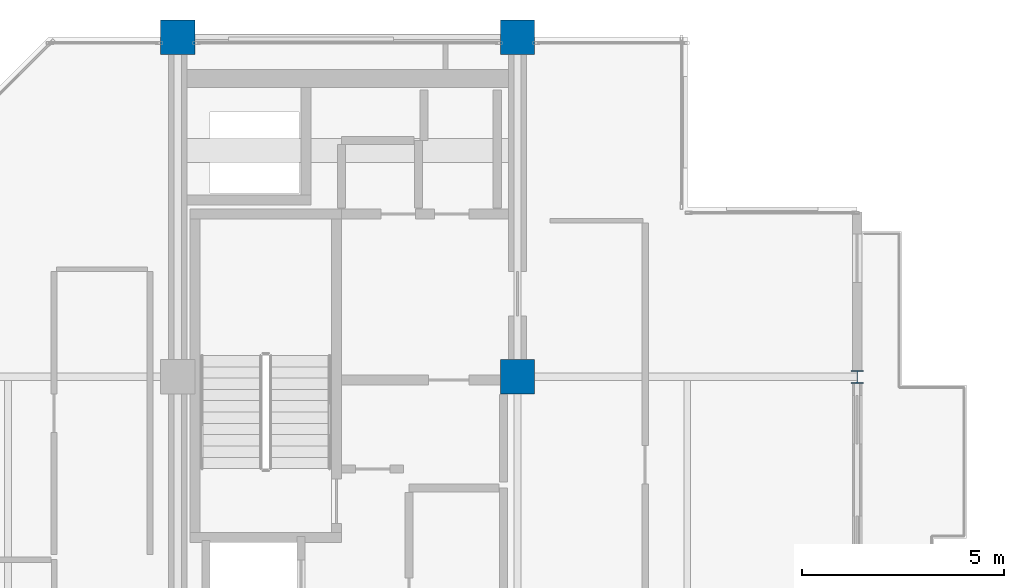
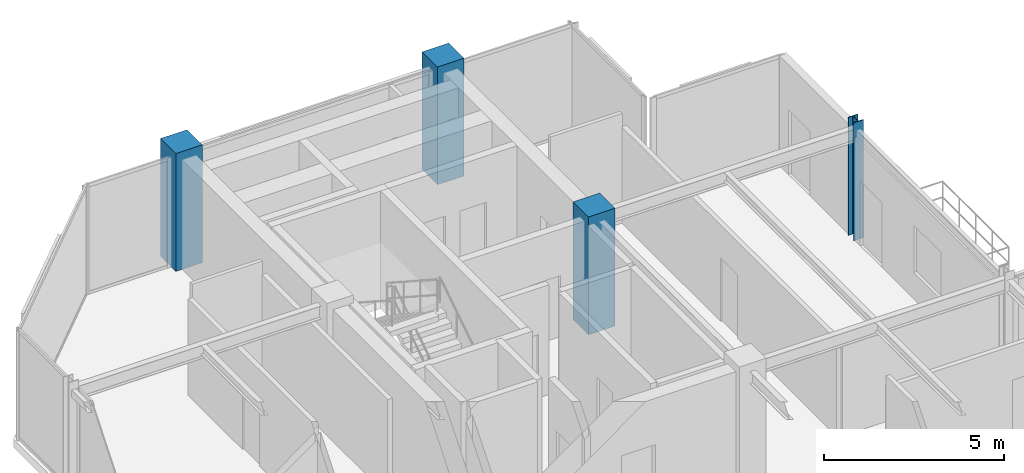
# One storey, part 2 of 24: 4 columns.
"""IFC4 building model written with IfcOpenShell, lengths in metres."""

from ifc_helpers import new_model, si_unit, direction, frame, origin, origin_2d, place, context, subcontext, project, spatial, rectangle, i_section, extrude, material, material_profile, profile_set, type_object, element, save


model = new_model("IFC4")

# Units and contexts
model_context = context("Model", 3, precision=1e-05, world=origin(), true_north=direction((0.0, 1.0)))
body_context = subcontext(model_context, "Body", "Model", "MODEL_VIEW")
ifc_project = project(units=[si_unit("LENGTHUNIT", "METRE"), si_unit("AREAUNIT", "SQUARE_METRE"), si_unit("VOLUMEUNIT", "CUBIC_METRE"), si_unit("PLANEANGLEUNIT", "RADIAN"), si_unit("MASSUNIT", "GRAM", prefix="KILO")], contexts=[model_context])

# Site, building, storey
site_placement = place(None, origin())
site = spatial("IfcSite", under=ifc_project, at=site_placement, CompositionType="ELEMENT")
building_placement = place(site_placement, origin())
building = spatial("IfcBuilding", under=site, at=building_placement, Name="Nerrivon Quay Data Exchange", CompositionType="ELEMENT")
storey_placement = place(building_placement, frame((0.0, 0.0, 306.199951171875)))
storey = spatial("IfcBuildingStorey", under=building, at=storey_placement, Name="L73", CompositionType="ELEMENT", Elevation=306.199951171875)

# Columns
ifc_material_1 = material(Name="Concrete N50 (50 MPa)", Category="concrete")
ifc_material_profile_1 = material_profile(ifc_material_1, rectangle(XDim=0.85009765625, YDim=0.85009765625, at=origin_2d()), Name="RC-COL-850x850")
ifc_profile_set_1 = profile_set([ifc_material_profile_1], Name="Concrete N50 (50 MPa)")
column_type_1 = type_object("IfcColumnType", Name="COL-C5-850", PredefinedType="COLUMN", material=ifc_profile_set_1)
for number, where, z_axis, x_axis, name in (
    (1, (8.39990234375, 42.0, 0.0), (0.0, 0.0, 1.0), (1.0, 0.0, 0.0), "L73 Column (8.4,42.0)"),
    (2, (16.800048828125, 33.60009765625, 0.0), (0.0, 0.0, 1.0), (1.0, 0.0, 0.0), "L73 Column (16.8,33.6)"),
    (3, (16.800048828125, 42.0, 0.0), (0.0, 0.0, 1.0), (1.0, 0.0, 0.0), "L73 Column (16.8,42.0)"),
):
    element("IfcColumn", number, at=place(storey_placement, frame(where, z_axis=z_axis, x_axis=x_axis)), inside=storey, type_object=column_type_1, Name=name, PredefinedType="COLUMN", context=body_context, shape_type="SweptSolid", body=[
        extrude(rectangle(XDim=0.85009765625, YDim=0.85009765625, at=origin_2d()), origin(), (0.0, 0.0, 1.0), 4.0),
    ])
ifc_material_2 = material(Name="Steel Grade 350", Category="steel")
ifc_material_profile_2 = material_profile(ifc_material_2, i_section(OverallWidth=0.31103515625, OverallDepth=0.326904296875, WebThickness=0.015625, FlangeThickness=0.02490234375, FilletRadius=0.0166015625, at=origin_2d()), Name="310UC158")
ifc_profile_set_2 = profile_set([ifc_material_profile_2], Name="Steel Grade 350")
column_type_2 = type_object("IfcColumnType", Name="COL-SC4-310UC158", PredefinedType="COLUMN", material=ifc_profile_set_2)
column_placement = place(storey_placement, frame((25.199951171875, 33.60009765625, 0.0), z_axis=(0.0, 0.0, 1.0), x_axis=(1.0, 0.0, 0.0)))
element("IfcColumn", 4, at=column_placement, inside=storey, type_object=column_type_2, Name="L73 Column (25.2,33.6)", PredefinedType="COLUMN", context=body_context, shape_type="SweptSolid", body=[
    extrude(i_section(OverallWidth=0.31103515625, OverallDepth=0.326904296875, WebThickness=0.015625, FlangeThickness=0.02490234375, FilletRadius=0.0166015625, at=origin_2d()), origin(), (0.0, 0.0, 1.0), 4.0),
])

save(model, "model.ifc")
